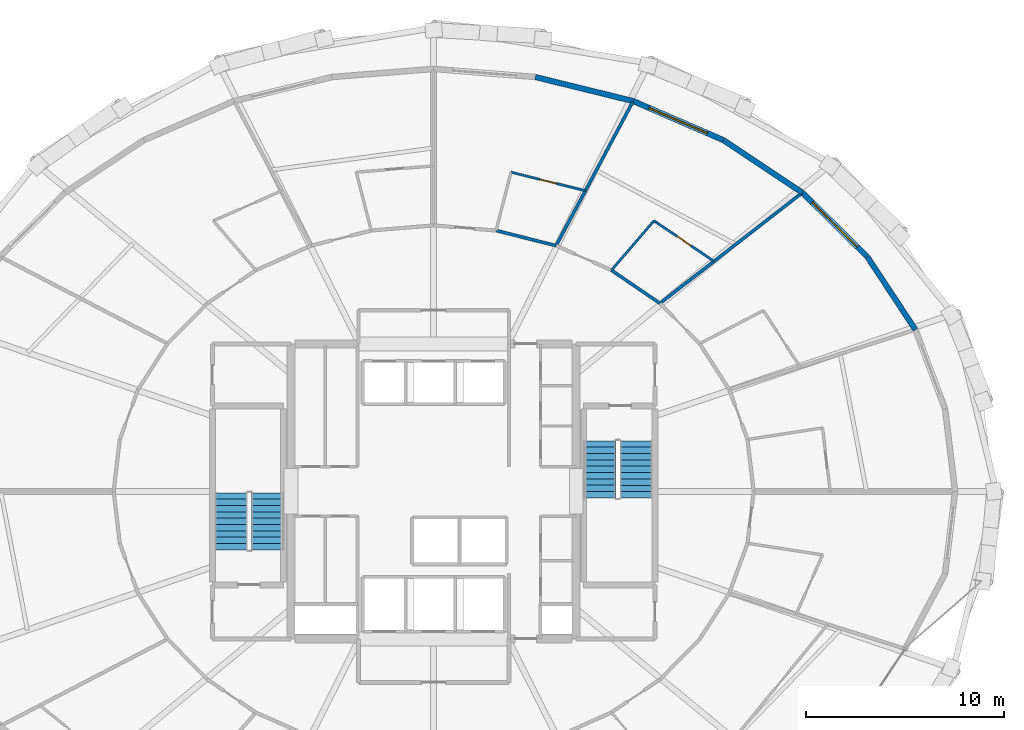
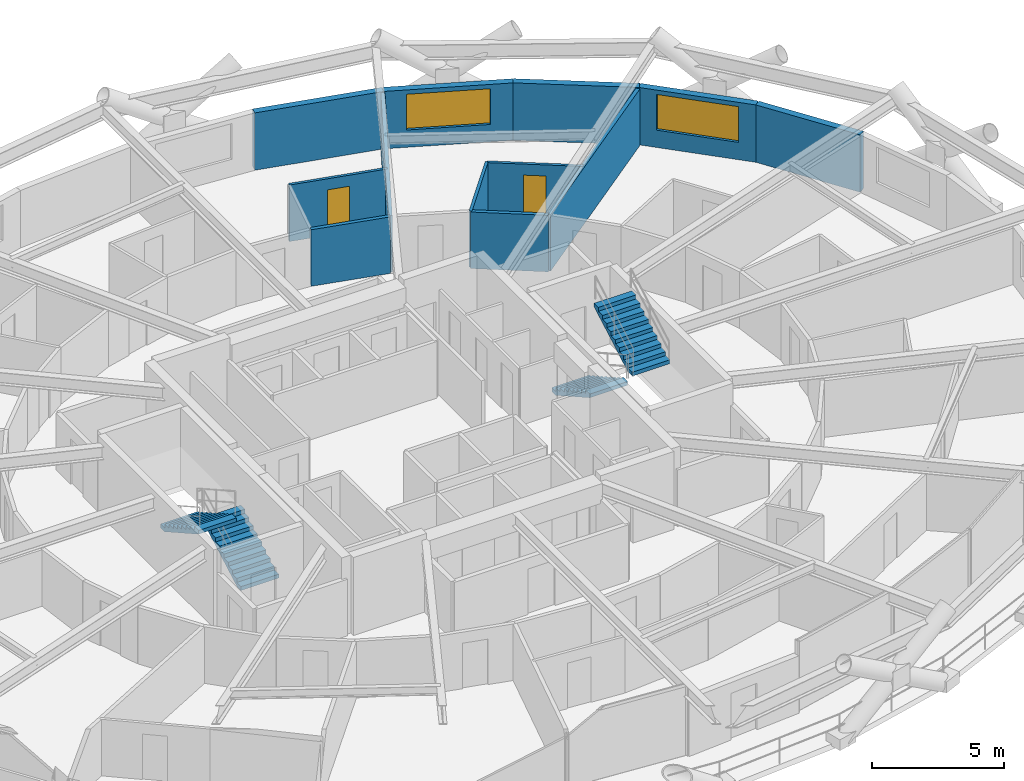
# One storey, part 18 of 20: 12 walls, 4 stair flights, 2 doors, 2 windows, 4 openings, 2 elements without a shape of their own.
"""IFC4 building model written with IfcOpenShell, lengths in metres."""

from ifc_helpers import new_model, si_unit, direction, frame, frame_2d, origin, place, context, subcontext, project, spatial, polyline, rectangle, outline, extrude, material, layer, layer_set, type_object, element, fill, aggregate, save


model = new_model("IFC4")

# Units and contexts
model_context = context("Model", 3, precision=1e-05, world=origin(), true_north=direction((0.0, 1.0)))
body_context = subcontext(model_context, "Body", "Model", "MODEL_VIEW")
ifc_project = project(units=[si_unit("LENGTHUNIT", "METRE"), si_unit("AREAUNIT", "SQUARE_METRE"), si_unit("VOLUMEUNIT", "CUBIC_METRE"), si_unit("PLANEANGLEUNIT", "RADIAN"), si_unit("MASSUNIT", "GRAM", prefix="KILO")], contexts=[model_context])

# Site, building, storey
site_placement = place(None, origin())
site = spatial("IfcSite", under=ifc_project, at=site_placement, CompositionType="ELEMENT")
building_placement = place(site_placement, origin())
building = spatial("IfcBuilding", under=site, at=building_placement, Name="Veldorina Hangang Commons", CompositionType="ELEMENT")
storey_placement = place(building_placement, frame((0.0, 0.0, 48.39990234375)))
storey = spatial("IfcBuildingStorey", under=building, at=storey_placement, Name="L11", CompositionType="ELEMENT", Elevation=48.39990234375)

# Wall
ifc_material_1 = material(Name="Stone Roman Travertine", Category="masonry")
ifc_layer_1 = layer(ifc_material_1, 0.280029296875)
ifc_layer_set_1 = layer_set([ifc_layer_1], Name="Stone Roman Travertine")
wall_type_1 = type_object("IfcWallType", Name="EW-TRAV-280", PredefinedType="STANDARD", material=ifc_layer_set_1)
wall_1_placement = place(storey_placement, frame((56.3330078125, 32.165771484375, 0.0), z_axis=(0.0, 0.0, 1.0), x_axis=(-0.550703673424, 0.834700823096, 0.0)))
element("IfcWall", 1, at=wall_1_placement, inside=storey, type_object=wall_type_1, Name="L11 travertine facade wall 02", PredefinedType="STANDARD", context=body_context, shape_type="SweptSolid", body=[
    extrude(rectangle(XDim=4.41943359375, YDim=0.280029296875, at=frame_2d((2.209716796875, 0.0))), origin(), (0.0, 0.0, 1.0), 2.650146484375),
])

# Wall, opening, window
wall_2_placement = place(storey_placement, frame((53.899169921875, 35.854736328125, 0.0), z_axis=(0.0, 0.0, 1.0), x_axis=(-0.711653949878, 0.70253018129, 0.0)))
wall_2 = element("IfcWall", 2, at=wall_2_placement, inside=storey, type_object=wall_type_1, Name="L11 travertine facade wall 03", PredefinedType="STANDARD", context=body_context, shape_type="SweptSolid", body=[
    extrude(rectangle(XDim=4.6025390625, YDim=0.280029296875, at=frame_2d((2.30126953125, 0.0))), origin(), (0.0, 0.0, 1.0), 2.650146484375),
])
opening_1_placement = place(wall_2_placement, frame((0.701416015625, 0.0, 0.800048828125)))
opening_1 = element("IfcOpeningElement", 3, at=opening_1_placement, cuts=wall_2, Name="Opening W-01", PredefinedType="OPENING", context=body_context, shape_type="SweptSolid", body=[
    extrude(rectangle(XDim=3.199951171875, YDim=1.64990234375, at=frame_2d((1.60009765625, 0.824951171875))), frame((0.0, 0.14990234375, 0.0), z_axis=(0.0, -1.0, 0.0), x_axis=(1.0, 0.0, 0.0)), (0.0, 0.0, 1.0), 0.300048828125),
])
ifc_material_2 = material(Name="Glass Low-E Triple IGU", Category="glass")
window_type = type_object("IfcWindowType", Name="WIN-TWR-3200", PartitioningType="SINGLE_PANEL", PredefinedType="WINDOW", material=ifc_material_2)
window_1_placement = place(opening_1_placement, origin())
window_1 = element("IfcWindow", 4, at=window_1_placement, inside=storey, type_object=window_type, Name="L11 facade window 03", OverallHeight=1.64990234375, OverallWidth=3.199951171875, PartitioningType="SINGLE_PANEL", PredefinedType="WINDOW", context=body_context, shape_type="SweptSolid", body=[
    extrude(rectangle(XDim=3.199951171875, YDim=1.64990234375, at=frame_2d((1.60009765625, 0.824951171875))), frame((0.0, 0.030029296875, 0.0), z_axis=(0.0, -1.0, 0.0), x_axis=(1.0, 0.0, 0.0)), (0.0, 0.0, 1.0), 0.06005859375),
])
fill(opening_1, window_1)

# Wall
wall_3_placement = place(storey_placement, frame((50.623779296875, 39.088134765625, 0.0), z_axis=(0.0, 0.0, 1.0), x_axis=(-0.832723620408, 0.55368887655, 0.0)))
element("IfcWall", 5, at=wall_3_placement, inside=storey, type_object=wall_type_1, Name="L11 travertine facade wall 04", PredefinedType="STANDARD", context=body_context, shape_type="SweptSolid", body=[
    extrude(rectangle(XDim=4.79296875, YDim=0.280029296875, at=frame_2d((2.396484375, 0.0))), origin(), (0.0, 0.0, 1.0), 2.650146484375),
])

# Wall, opening, window
wall_4_placement = place(storey_placement, frame((46.632568359375, 41.741943359375, 0.0), z_axis=(0.0, 0.0, 1.0), x_axis=(-0.917665086661, 0.397354739149, 0.0)))
wall_4 = element("IfcWall", 6, at=wall_4_placement, inside=storey, type_object=wall_type_1, Name="L11 travertine facade wall 05", PredefinedType="STANDARD", context=body_context, shape_type="SweptSolid", body=[
    extrude(rectangle(XDim=4.9619140625, YDim=0.280029296875, at=frame_2d((2.48095703125, 0.0))), origin(), (0.0, 0.0, 1.0), 2.650146484375),
])
opening_2_placement = place(wall_4_placement, frame((0.881103515625, 0.0, 0.800048828125)))
opening_2 = element("IfcOpeningElement", 7, at=opening_2_placement, cuts=wall_4, Name="Opening W-01", PredefinedType="OPENING", context=body_context, shape_type="SweptSolid", body=[
    extrude(rectangle(XDim=3.199951171875, YDim=1.64990234375, at=frame_2d((1.60009765625, 0.824951171875))), frame((0.0, 0.14990234375, 0.0), z_axis=(0.0, -1.0, 0.0), x_axis=(1.0, 0.0, 0.0)), (0.0, 0.0, 1.0), 0.300048828125),
])
window_2_placement = place(opening_2_placement, origin())
window_2 = element("IfcWindow", 8, at=window_2_placement, inside=storey, type_object=window_type, Name="L11 facade window 05", OverallHeight=1.64990234375, OverallWidth=3.199951171875, PartitioningType="SINGLE_PANEL", PredefinedType="WINDOW", context=body_context, shape_type="SweptSolid", body=[
    extrude(rectangle(XDim=3.199951171875, YDim=1.64990234375, at=frame_2d((1.60009765625, 0.824951171875))), frame((0.0, 0.030029296875, 0.0), z_axis=(0.0, -1.0, 0.0), x_axis=(1.0, 0.0, 0.0)), (0.0, 0.0, 1.0), 0.06005859375),
])
fill(opening_2, window_2)

# Walls
wall_5_placement = place(storey_placement, frame((42.0791015625, 43.713623046875, 0.0), z_axis=(0.0, 0.0, 1.0), x_axis=(-0.971100140987, 0.238672403462, 0.0)))
element("IfcWall", 9, at=wall_5_placement, inside=storey, type_object=wall_type_1, Name="L11 travertine facade wall 06", PredefinedType="STANDARD", context=body_context, shape_type="SweptSolid", body=[
    extrude(rectangle(XDim=5.087890625, YDim=0.280029296875, at=frame_2d((2.5439453125, 0.0))), origin(), (0.0, 0.0, 1.0), 2.650146484375),
])
ifc_material_3 = material(Name="Gypsum Fire-Rated Twin Stud Wall", Category="gypsum")
ifc_layer_2 = layer(ifc_material_3, 0.159912109375)
ifc_layer_set_2 = layer_set([ifc_layer_2], Name="Gypsum Fire-Rated Twin Stud Wall")
wall_type_2 = type_object("IfcWallType", Name="WL-FIRE-160", PredefinedType="SOLIDWALL", material=ifc_layer_set_2)
wall_6_placement = place(storey_placement, frame((43.42822265625, 33.499267578125, 0.0), z_axis=(0.0, 0.0, 1.0), x_axis=(-0.826112340767, 0.563505457323, 0.0)))
element("IfcWall", 10, at=wall_6_placement, inside=storey, type_object=wall_type_2, Name="L11 Corridor outer wall 04 054", PredefinedType="SOLIDWALL", context=body_context, shape_type="SweptSolid", body=[
    extrude(rectangle(XDim=2.96484375, YDim=0.159912109375, at=frame_2d((1.482421875, 0.0))), origin(), (0.0, 0.0, 1.0), 2.610107421875),
])
wall_7_placement = place(storey_placement, frame((38.184814453125, 36.411376953125, 0.0), z_axis=(0.0, 0.0, 1.0), x_axis=(-0.969653665365, 0.244482656326, 0.0)))
element("IfcWall", 11, at=wall_7_placement, inside=storey, type_object=wall_type_2, Name="L11 Corridor outer wall 06 056", PredefinedType="SOLIDWALL", context=body_context, shape_type="SweptSolid", body=[
    extrude(rectangle(XDim=3.126708984375, YDim=0.159912109375, at=frame_2d((1.5634765625, 0.0))), origin(), (0.0, 0.0, 1.0), 2.610107421875),
])
wall_8_placement = place(storey_placement, frame((43.42822265625, 33.499267578125, 0.0), z_axis=(0.0, 0.0, 1.0), x_axis=(0.789749576514, 0.613429381751, 0.0)))
element("IfcWall", 12, at=wall_8_placement, inside=storey, type_object=wall_type_2, Name="L11 Unit party wall 04 101", PredefinedType="SOLIDWALL", context=body_context, shape_type="SweptSolid", body=[
    extrude(rectangle(XDim=9.06103515625, YDim=0.159912109375, at=frame_2d((4.530517578125, 0.0))), origin(), (0.0, 0.0, 1.0), 2.610107421875),
])
wall_9_placement = place(storey_placement, frame((38.184814453125, 36.411376953125, 0.0), z_axis=(0.0, 0.0, 1.0), x_axis=(0.47056512842, 0.882365264454, 0.0)))
element("IfcWall", 13, at=wall_9_placement, inside=storey, type_object=wall_type_2, Name="L11 Unit party wall 06 104", PredefinedType="SOLIDWALL", context=body_context, shape_type="SweptSolid", body=[
    extrude(rectangle(XDim=8.22607421875, YDim=0.159912109375, at=frame_2d((4.113037109375, 0.0))), origin(), (0.0, 0.0, 1.0), 2.610107421875),
])

# Wall, opening, door
ifc_material_4 = material(Name="Gypsum Acoustic Stud Partition", Category="gypsum")
ifc_layer_3 = layer(ifc_material_4, 0.1201171875)
ifc_layer_set_3 = layer_set([ifc_layer_3], Name="Gypsum Acoustic Stud Partition")
wall_type_3 = type_object("IfcWallType", Name="WL-PART-120", PredefinedType="PARTITIONING", material=ifc_layer_set_3)
wall_10_placement = place(storey_placement, frame((46.16259765625, 35.623046875, 0.0), z_axis=(0.0, 0.0, 1.0), x_axis=(-0.829423679088, 0.558620050274, 0.0)))
wall_10 = element("IfcWall", 14, at=wall_10_placement, inside=storey, type_object=wall_type_3, Name="L11 Studio 6 bath front wall 102", PredefinedType="PARTITIONING", context=body_context, shape_type="SweptSolid", body=[
    extrude(rectangle(XDim=3.659423828125, YDim=0.1201171875, at=frame_2d((1.82958984375, 0.0))), origin(), (0.0, 0.0, 1.0), 2.610107421875),
])
opening_3_placement = place(wall_10_placement, frame((1.399658203125, 0.0, 0.0)))
opening_3 = element("IfcOpeningElement", 15, at=opening_3_placement, cuts=wall_10, Name="Opening D-01", PredefinedType="OPENING", context=body_context, shape_type="SweptSolid", body=[
    extrude(rectangle(XDim=0.860107421875, YDim=2.10009765625, at=frame_2d((0.43017578125, 1.050048828125))), frame((0.0, 0.070068359375, 0.0), z_axis=(0.0, -1.0, 0.0), x_axis=(1.0, 0.0, 0.0)), (0.0, 0.0, 1.0), 0.14013671875),
])
ifc_material_5 = material(Name="Timber Moisture-Resistant Core", Category="wood")
door_type = type_object("IfcDoorType", Name="DR-WET-860", OperationType="SINGLE_SWING_LEFT", PredefinedType="DOOR", material=ifc_material_5)
door_1_placement = place(opening_3_placement, origin())
door_1 = element("IfcDoor", 16, at=door_1_placement, inside=storey, type_object=door_type, Name="L11 Studio 6 bathroom door 034", OperationType="SINGLE_SWING_RIGHT", OverallHeight=2.10009765625, OverallWidth=0.860107421875, PredefinedType="DOOR", context=body_context, shape_type="SweptSolid", body=[
    extrude(rectangle(XDim=0.860107421875, YDim=2.10009765625, at=frame_2d((0.43017578125, 1.050048828125))), frame((0.0, 0.02490234375, 0.0), z_axis=(0.0, -1.0, 0.0), x_axis=(1.0, 0.0, 0.0)), (0.0, 0.0, 1.0), 0.050048828125),
])
fill(opening_3, door_1)

# Wall
wall_11_placement = place(storey_placement, frame((40.97900390625, 35.169921875, 0.0), z_axis=(0.0, 0.0, 1.0), x_axis=(0.652169620861, 0.758073074067, 0.0)))
element("IfcWall", 17, at=wall_11_placement, inside=storey, type_object=wall_type_3, Name="L11 Studio 6 bath side wall 103", PredefinedType="PARTITIONING", context=body_context, shape_type="SweptSolid", body=[
    extrude(rectangle(XDim=3.294189453125, YDim=0.1201171875, at=frame_2d((1.64697265625, 0.0))), origin(), (0.0, 0.0, 1.0), 2.610107421875),
])

# Wall, opening, door
wall_12_placement = place(storey_placement, frame((39.664794921875, 39.186279296875, 0.0), z_axis=(0.0, 0.0, 1.0), x_axis=(-0.970386800282, 0.241556324359, 0.0)))
wall_12 = element("IfcWall", 18, at=wall_12_placement, inside=storey, type_object=wall_type_3, Name="L11 Studio 7 bath front wall 105", PredefinedType="PARTITIONING", context=body_context, shape_type="SweptSolid", body=[
    extrude(rectangle(XDim=3.8720703125, YDim=0.1201171875, at=frame_2d((1.93603515625, 0.0))), origin(), (0.0, 0.0, 1.0), 2.610107421875),
])
opening_4_placement = place(wall_12_placement, frame((1.506103515625, 0.0, 0.0)))
opening_4 = element("IfcOpeningElement", 19, at=opening_4_placement, cuts=wall_12, Name="Opening D-01", PredefinedType="OPENING", context=body_context, shape_type="SweptSolid", body=[
    extrude(rectangle(XDim=0.860107421875, YDim=2.10009765625, at=frame_2d((0.43017578125, 1.050048828125))), frame((0.0, 0.070068359375, 0.0), z_axis=(0.0, -1.0, 0.0), x_axis=(1.0, 0.0, 0.0)), (0.0, 0.0, 1.0), 0.14013671875),
])
door_2_placement = place(opening_4_placement, origin())
door_2 = element("IfcDoor", 20, at=door_2_placement, inside=storey, type_object=door_type, Name="L11 Studio 7 bathroom door 036", OperationType="SINGLE_SWING_RIGHT", OverallHeight=2.10009765625, OverallWidth=0.860107421875, PredefinedType="DOOR", context=body_context, shape_type="SweptSolid", body=[
    extrude(rectangle(XDim=0.860107421875, YDim=2.10009765625, at=frame_2d((0.43017578125, 1.050048828125))), frame((0.0, 0.02490234375, 0.0), z_axis=(0.0, -1.0, 0.0), x_axis=(1.0, 0.0, 0.0)), (0.0, 0.0, 1.0), 0.050048828125),
])
fill(opening_4, door_2)

# Stair, stair flights
ifc_material_6 = material(Name="Concrete C40/50", Category="concrete")
stair_type = type_object("IfcStairType", Name="STR-DOG-1650-20R", PredefinedType="HALF_TURN_STAIR", material=ifc_material_6)
stair_1_placement = place(storey_placement, origin())
stair_1 = element("IfcStair", 21, at=stair_1_placement, inside=storey, type_object=stair_type, Name="L11 Exit stair ST-1", PredefinedType="HALF_TURN_STAIR")
stair_flight_type = type_object("IfcStairFlightType", Name="SFL-STR-1650-20R", PredefinedType="STRAIGHT", material=ifc_material_6)
stair_flight_1_placement = place(storey_placement, frame((23.625, 21.050048828125, 0.0), z_axis=(0.0, 0.0, 1.0), x_axis=(0.0, 1.0, 0.0)))
stair_flight_1 = element("IfcStairFlight", 22, at=stair_flight_1_placement, type_object=stair_flight_type, Name="ST-1 flight 1", NumberOfRisers=10, NumberOfTreads=9, PredefinedType="STRAIGHT", RiserHeight=0.18, TreadLength=0.32, context=body_context, shape_type="SweptSolid", body=[
    extrude(outline(polyline([(0.0, 0.0), (0.0, 0.179931640625), (0.320068359375, 0.179931640625), (0.320068359375, 0.360107421875), (0.639892578125, 0.360107421875), (0.639892578125, 0.5400390625), (0.9599609375, 0.5400390625), (0.9599609375, 0.719970703125), (1.280029296875, 0.719970703125), (1.280029296875, 0.89990234375), (1.60009765625, 0.89990234375), (1.60009765625, 1.080078125), (1.919921875, 1.080078125), (1.919921875, 1.260009765625), (2.239990234375, 1.260009765625), (2.239990234375, 1.43994140625), (2.56005859375, 1.43994140625), (2.56005859375, 1.6201171875), (2.8798828125, 1.6201171875), (2.8798828125, 1.800048828125), (2.8798828125, 1.447998046875), (0.3056640625, 0.0), (0.0, 0.0)])), frame((0.0, 0.824951171875, 0.0), z_axis=(0.0, -1.0, 0.0), x_axis=(1.0, 0.0, 0.0)), (0.0, 0.0, 1.0), 1.64990234375),
])
stair_flight_2_placement = place(storey_placement, frame((21.77490234375, 23.929931640625, 1.800048828125), z_axis=(0.0, 0.0, 1.0), x_axis=(0.0, -1.0, 0.0)))
stair_flight_2 = element("IfcStairFlight", 23, at=stair_flight_2_placement, type_object=stair_flight_type, Name="ST-1 flight 2", NumberOfRisers=10, NumberOfTreads=9, PredefinedType="STRAIGHT", RiserHeight=0.18, TreadLength=0.32, context=body_context, shape_type="SweptSolid", body=[
    extrude(outline(polyline([(0.0, 0.0), (0.0, 0.179931640625), (0.320068359375, 0.179931640625), (0.320068359375, 0.360107421875), (0.639892578125, 0.360107421875), (0.639892578125, 0.5400390625), (0.9599609375, 0.5400390625), (0.9599609375, 0.719970703125), (1.280029296875, 0.719970703125), (1.280029296875, 0.89990234375), (1.60009765625, 0.89990234375), (1.60009765625, 1.080078125), (1.919921875, 1.080078125), (1.919921875, 1.260009765625), (2.239990234375, 1.260009765625), (2.239990234375, 1.43994140625), (2.56005859375, 1.43994140625), (2.56005859375, 1.6201171875), (2.8798828125, 1.6201171875), (2.8798828125, 1.800048828125), (2.8798828125, 1.447998046875), (0.3056640625, 0.0), (0.0, 0.0)])), frame((0.0, 0.824951171875, 0.0), z_axis=(0.0, -1.0, 0.0), x_axis=(1.0, 0.0, 0.0)), (0.0, 0.0, 1.0), 1.64990234375),
])
aggregate(stair_1, [stair_flight_1, stair_flight_2])

stair_2_placement = place(storey_placement, origin())
stair_2 = element("IfcStair", 24, at=stair_2_placement, inside=storey, type_object=stair_type, Name="L11 Exit stair ST-2", PredefinedType="HALF_TURN_STAIR")
stair_flight_3_placement = place(storey_placement, frame((40.375, 26.550048828125, 0.0), z_axis=(0.0, 0.0, 1.0), x_axis=(0.0, -1.0, 0.0)))
stair_flight_3 = element("IfcStairFlight", 25, at=stair_flight_3_placement, type_object=stair_flight_type, Name="ST-2 flight 1", NumberOfRisers=10, NumberOfTreads=9, PredefinedType="STRAIGHT", RiserHeight=0.18, TreadLength=0.32, context=body_context, shape_type="SweptSolid", body=[
    extrude(outline(polyline([(0.0, 0.0), (0.0, 0.179931640625), (0.320068359375, 0.179931640625), (0.320068359375, 0.360107421875), (0.639892578125, 0.360107421875), (0.639892578125, 0.5400390625), (0.9599609375, 0.5400390625), (0.9599609375, 0.719970703125), (1.280029296875, 0.719970703125), (1.280029296875, 0.89990234375), (1.60009765625, 0.89990234375), (1.60009765625, 1.080078125), (1.919921875, 1.080078125), (1.919921875, 1.260009765625), (2.239990234375, 1.260009765625), (2.239990234375, 1.43994140625), (2.56005859375, 1.43994140625), (2.56005859375, 1.6201171875), (2.8798828125, 1.6201171875), (2.8798828125, 1.800048828125), (2.8798828125, 1.447998046875), (0.3056640625, 0.0), (0.0, 0.0)])), frame((0.0, 0.824951171875, 0.0), z_axis=(0.0, -1.0, 0.0), x_axis=(1.0, 0.0, 0.0)), (0.0, 0.0, 1.0), 1.64990234375),
])
stair_flight_4_placement = place(storey_placement, frame((42.22509765625, 23.669921875, 1.800048828125), z_axis=(0.0, 0.0, 1.0), x_axis=(0.0, 1.0, 0.0)))
stair_flight_4 = element("IfcStairFlight", 26, at=stair_flight_4_placement, type_object=stair_flight_type, Name="ST-2 flight 2", NumberOfRisers=10, NumberOfTreads=9, PredefinedType="STRAIGHT", RiserHeight=0.18, TreadLength=0.32, context=body_context, shape_type="SweptSolid", body=[
    extrude(outline(polyline([(0.0, 0.0), (0.0, 0.179931640625), (0.320068359375, 0.179931640625), (0.320068359375, 0.360107421875), (0.639892578125, 0.360107421875), (0.639892578125, 0.5400390625), (0.9599609375, 0.5400390625), (0.9599609375, 0.719970703125), (1.280029296875, 0.719970703125), (1.280029296875, 0.89990234375), (1.60009765625, 0.89990234375), (1.60009765625, 1.080078125), (1.919921875, 1.080078125), (1.919921875, 1.260009765625), (2.239990234375, 1.260009765625), (2.239990234375, 1.43994140625), (2.56005859375, 1.43994140625), (2.56005859375, 1.6201171875), (2.8798828125, 1.6201171875), (2.8798828125, 1.800048828125), (2.8798828125, 1.447998046875), (0.3056640625, 0.0), (0.0, 0.0)])), frame((0.0, 0.824951171875, 0.0), z_axis=(0.0, -1.0, 0.0), x_axis=(1.0, 0.0, 0.0)), (0.0, 0.0, 1.0), 1.64990234375),
])
aggregate(stair_2, [stair_flight_3, stair_flight_4])

save(model, "model.ifc")
